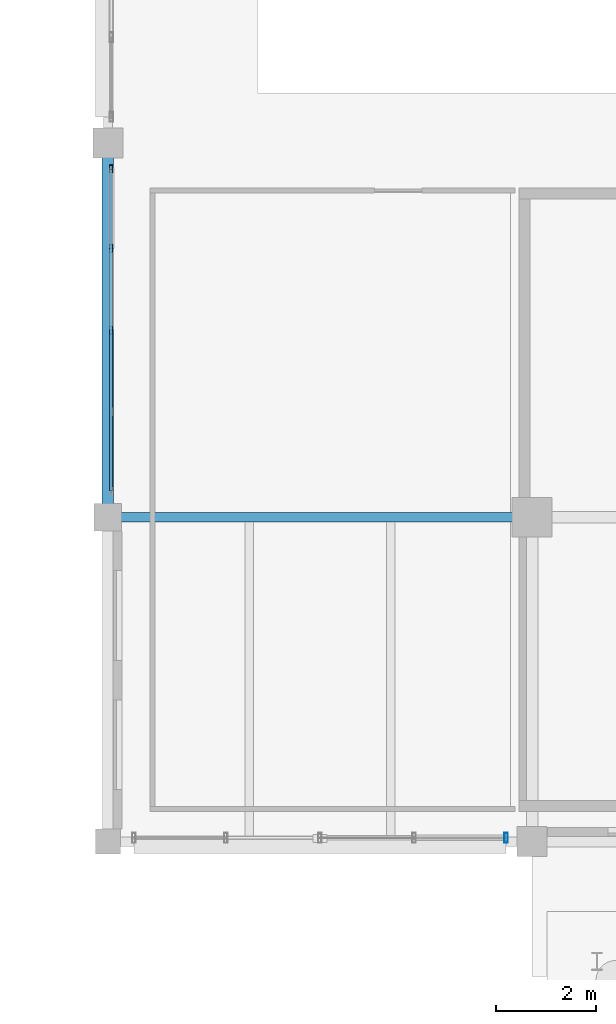
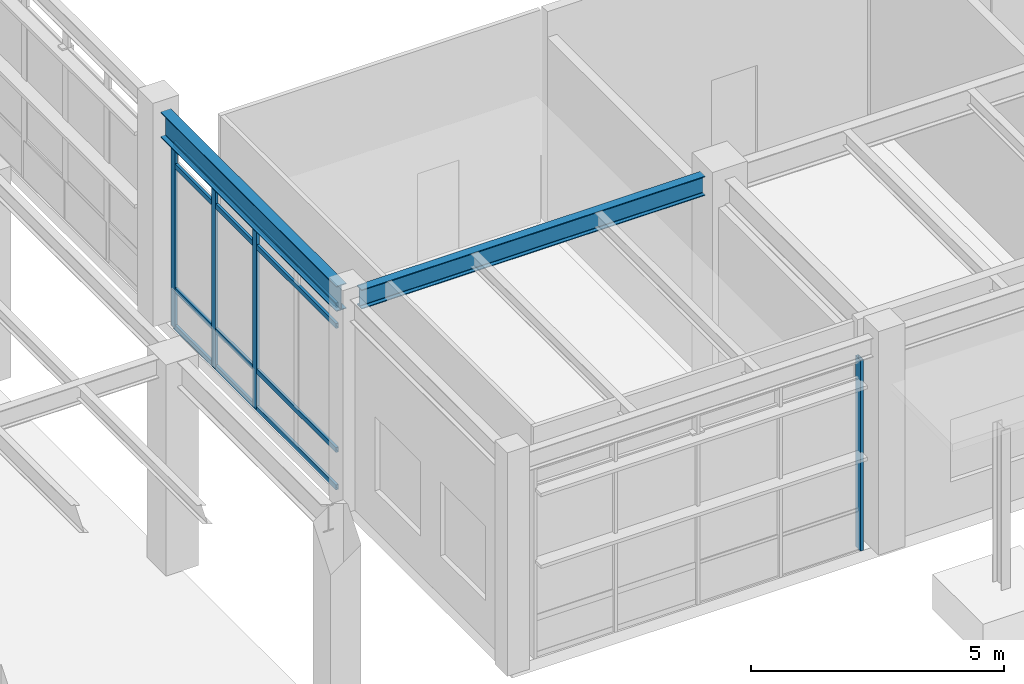
# One storey, part 107 of 203: 8 members, 2 beams, 2 elements without a shape of their own.
"""IFC4 building model written with IfcOpenShell, lengths in metres."""

from ifc_helpers import new_model, si_unit, direction, frame, origin, origin_2d, place, context, subcontext, project, spatial, hollow_rectangle, i_section, extrude, material, material_profile, profile_set, type_object, element, aggregate, save


model = new_model("IFC4")

# Units and contexts
model_context = context("Model", 3, precision=1e-05, world=origin(), true_north=direction((0.0, 1.0)))
body_context = subcontext(model_context, "Body", "Model", "MODEL_VIEW")
ifc_project = project(units=[si_unit("LENGTHUNIT", "METRE"), si_unit("AREAUNIT", "SQUARE_METRE"), si_unit("VOLUMEUNIT", "CUBIC_METRE"), si_unit("PLANEANGLEUNIT", "RADIAN"), si_unit("MASSUNIT", "GRAM", prefix="KILO"), si_unit("THERMODYNAMICTEMPERATUREUNIT", "KELVIN"), si_unit("POWERUNIT", "WATT")], contexts=[model_context])

# Site, building, storey
site_placement = place(None, origin())
site = spatial("IfcSite", under=ifc_project, at=site_placement, CompositionType="ELEMENT")
building_placement = place(site_placement, origin())
building = spatial("IfcBuilding", under=site, at=building_placement, Name="Tepalcoro Natatorium and Aquatics Centre", CompositionType="ELEMENT")
storey_placement = place(building_placement, origin())
storey = spatial("IfcBuildingStorey", under=building, at=storey_placement, Name="L00", CompositionType="ELEMENT", Elevation=0.0)

# Beam
ifc_material_1 = material(Name="Steel ASTM A992 Grade 50 (Fy 345 MPa)", Category="steel")
ifc_material_profile_1 = material_profile(ifc_material_1, i_section(OverallWidth=0.193115234375, OverallDepth=0.467041015625, WebThickness=0.010986328125, FlangeThickness=0.01904296875, FilletRadius=0.013916015625, at=origin_2d()), Name="W18X65")
ifc_profile_set_1 = profile_set([ifc_material_profile_1], Name="Steel ASTM A992 Grade 50 (Fy 345 MPa)")
beam_type_1 = type_object("IfcBeamType", Name="BM_W18x65", PredefinedType="BEAM", material=ifc_profile_set_1)
beam_1_placement = place(storey_placement, frame((142.260009765625, 13.0, 4.8916015625), z_axis=(1.0, 0.0, 0.0), x_axis=(0.0, 1.0, 0.0)))
element("IfcBeam", 1, at=beam_1_placement, inside=storey, type_object=beam_type_1, Name="V2 L00 Grid Girder X", PredefinedType="BEAM", context=body_context, shape_type="SweptSolid", body=[
    extrude(i_section(OverallWidth=0.193115234375, OverallDepth=0.467041015625, WebThickness=0.010986328125, FlangeThickness=0.01904296875, FilletRadius=0.013916015625, at=origin_2d()), origin(), (0.0, 0.0, 1.0), 7.85498046875),
])

# Curtain wall, members
ifc_material_2 = material(Name="Bronze-Anodised Extruded Aluminium Alloy EN AW-6063 T6", Category="aluminium")
curtain_wall_type_1 = type_object("IfcCurtainWallType", Name="CW_LEAN_T1_NS", PredefinedType="USERDEFINED", material=ifc_material_2)
curtain_wall_1_placement = place(storey_placement, origin())
curtain_wall_1 = element("IfcCurtainWall", 2, at=curtain_wall_1_placement, inside=storey, type_object=curtain_wall_type_1, Name="V2 L00 W Unitised Curtain Wall Bay 2", ObjectType="FACETED SOLAR GLAZING", PredefinedType="USERDEFINED")
ifc_material_profile_2 = material_profile(ifc_material_2, hollow_rectangle(XDim=0.06005859375, YDim=0.159912109375, WallThickness=0.00390625, at=origin_2d()), Name="AL60X160X4")
ifc_profile_set_2 = profile_set([ifc_material_profile_2], Name="Bronze-Anodised Extruded Aluminium Alloy EN AW-6063 T6")
member_type_1 = type_object("IfcMemberType", Name="CW_MUL_60x160", PredefinedType="MULLION", material=ifc_profile_set_2)
member_1_placement = place(storey_placement, frame((142.06494140625, 16.75, 0.02001953125), z_axis=(0.0, 0.0, 1.0), x_axis=(1.0, 0.0, 0.0)))
member_1 = element("IfcMember", 3, at=member_1_placement, type_object=member_type_1, Name="CW_LEAN_T1_NS Curtain Wall Mullion", PredefinedType="MULLION", context=body_context, shape_type="SweptSolid", body=[
    extrude(hollow_rectangle(XDim=0.06005859375, YDim=0.159912109375, WallThickness=0.00390625, at=origin_2d()), origin(), (0.0, 0.0, 1.0), 4.4580078125),
])
member_2_placement = place(storey_placement, frame((142.06494140625, 18.385009765625, 0.02001953125), z_axis=(0.0, 0.0, 1.0), x_axis=(1.0, 0.0, 0.0)))
member_2 = element("IfcMember", 4, at=member_2_placement, type_object=member_type_1, Name="CW_LEAN_T1_NS Curtain Wall Mullion", PredefinedType="MULLION", context=body_context, shape_type="SweptSolid", body=[
    extrude(hollow_rectangle(XDim=0.06005859375, YDim=0.159912109375, WallThickness=0.00390625, at=origin_2d()), origin(), (0.0, 0.0, 1.0), 4.4580078125),
])
member_3_placement = place(storey_placement, frame((142.06494140625, 19.97998046875, 0.02001953125), z_axis=(0.0, 0.0, 1.0), x_axis=(1.0, 0.0, 0.0)))
member_3 = element("IfcMember", 5, at=member_3_placement, type_object=member_type_1, Name="CW_LEAN_T1_NS Curtain Wall Mullion", PredefinedType="MULLION", context=body_context, shape_type="SweptSolid", body=[
    extrude(hollow_rectangle(XDim=0.06005859375, YDim=0.159912109375, WallThickness=0.00390625, at=origin_2d()), origin(), (0.0, 0.0, 1.0), 4.4580078125),
])

# Curtain wall, member
curtain_wall_type_2 = type_object("IfcCurtainWallType", Name="CW_V2_DIVING", PredefinedType="USERDEFINED", material=ifc_material_2)
curtain_wall_2_placement = place(storey_placement, origin())
curtain_wall_2 = element("IfcCurtainWall", 6, at=curtain_wall_2_placement, inside=storey, type_object=curtain_wall_type_2, Name="V2 L00 S Unitised Curtain Wall Bay 1", ObjectType="FACETED SOLAR GLAZING", PredefinedType="USERDEFINED")
ifc_material_profile_3 = material_profile(ifc_material_2, hollow_rectangle(XDim=0.070068359375, YDim=0.199951171875, WallThickness=0.0048828125, at=origin_2d()), Name="AL70X200X5")
ifc_profile_set_3 = profile_set([ifc_material_profile_3], Name="Bronze-Anodised Extruded Aluminium Alloy EN AW-6063 T6")
member_type_2 = type_object("IfcMemberType", Name="CW_MUL_70x200", PredefinedType="MULLION", material=ifc_profile_set_3)
member_4_placement = place(storey_placement, frame((149.97998046875, 6.576171875, 0.02001953125), z_axis=(0.0, 0.0, 1.0), x_axis=(1.0, 0.0, 0.0)))
member_4 = element("IfcMember", 7, at=member_4_placement, type_object=member_type_2, Name="CW_V2_DIVING Curtain Wall Mullion", PredefinedType="MULLION", context=body_context, shape_type="SweptSolid", body=[
    extrude(hollow_rectangle(XDim=0.070068359375, YDim=0.199951171875, WallThickness=0.0048828125, at=origin_2d()), origin(), (0.0, 0.0, 1.0), 4.60986328125),
])
aggregate(curtain_wall_2, [member_4])

# Member
ifc_material_profile_4 = material_profile(ifc_material_2, hollow_rectangle(XDim=0.06005859375, YDim=0.1201171875, WallThickness=0.00390625, at=origin_2d()), Name="AL60X120X4")
ifc_profile_set_4 = profile_set([ifc_material_profile_4], Name="Bronze-Anodised Extruded Aluminium Alloy EN AW-6063 T6")
member_type_3 = type_object("IfcMemberType", Name="CW_TRN_60x120", PredefinedType="USERDEFINED", material=ifc_profile_set_4)
member_5_placement = place(storey_placement, frame((142.06494140625, 13.530029296875, 0.050048828125), z_axis=(0.0, 1.0, 0.0), x_axis=(-1.0, 0.0, 0.0)))
member_5 = element("IfcMember", 8, at=member_5_placement, type_object=member_type_3, Name="CW_LEAN_T1_NS Curtain Wall Transom", ObjectType="TRANSOM", PredefinedType="USERDEFINED", context=body_context, shape_type="SweptSolid", body=[
    extrude(hollow_rectangle(XDim=0.06005859375, YDim=0.1201171875, WallThickness=0.00390625, at=origin_2d()), origin(), (0.0, 0.0, 1.0), 6.43994140625),
])

member_6_placement = place(storey_placement, frame((142.06494140625, 13.530029296875, 0.949951171875), z_axis=(0.0, 1.0, 0.0), x_axis=(-1.0, 0.0, 0.0)))
member_6 = element("IfcMember", 9, at=member_6_placement, type_object=member_type_3, Name="CW_LEAN_T1_NS Curtain Wall Transom", ObjectType="TRANSOM", PredefinedType="USERDEFINED", context=body_context, shape_type="SweptSolid", body=[
    extrude(hollow_rectangle(XDim=0.06005859375, YDim=0.1201171875, WallThickness=0.00390625, at=origin_2d()), origin(), (0.0, 0.0, 1.0), 6.43994140625),
])

member_7_placement = place(storey_placement, frame((142.06494140625, 13.530029296875, 3.947998046875), z_axis=(0.0, 1.0, 0.0), x_axis=(-1.0, 0.0, 0.0)))
member_7 = element("IfcMember", 10, at=member_7_placement, type_object=member_type_3, Name="CW_LEAN_T1_NS Curtain Wall Transom", ObjectType="TRANSOM", PredefinedType="USERDEFINED", context=body_context, shape_type="SweptSolid", body=[
    extrude(hollow_rectangle(XDim=0.06005859375, YDim=0.1201171875, WallThickness=0.00390625, at=origin_2d()), origin(), (0.0, 0.0, 1.0), 6.43994140625),
])

member_8_placement = place(storey_placement, frame((142.06494140625, 13.530029296875, 4.447998046875), z_axis=(0.0, 1.0, 0.0), x_axis=(-1.0, 0.0, 0.0)))
member_8 = element("IfcMember", 11, at=member_8_placement, type_object=member_type_3, Name="CW_LEAN_T1_NS Curtain Wall Transom", ObjectType="TRANSOM", PredefinedType="USERDEFINED", context=body_context, shape_type="SweptSolid", body=[
    extrude(hollow_rectangle(XDim=0.06005859375, YDim=0.1201171875, WallThickness=0.00390625, at=origin_2d()), origin(), (0.0, 0.0, 1.0), 6.43994140625),
])

aggregate(curtain_wall_1, [member_1, member_2, member_3, member_5, member_6, member_7, member_8])

# Beam
ifc_material_profile_5 = material_profile(ifc_material_1, i_section(OverallWidth=0.22900390625, OverallDepth=0.612060546875, WebThickness=0.011962890625, FlangeThickness=0.02001953125, FilletRadius=0.013916015625, at=origin_2d()), Name="W24X84")
ifc_profile_set_5 = profile_set([ifc_material_profile_5], Name="Steel ASTM A992 Grade 50 (Fy 345 MPa)")
beam_type_2 = type_object("IfcBeamType", Name="SP_W24x84", PredefinedType="SPANDREL", material=ifc_profile_set_5)
beam_2_placement = place(storey_placement, frame((142.0, 13.260009765625, 4.819091796875), z_axis=(0.0, 1.0, 0.0), x_axis=(-1.0, 0.0, 0.0)))
element("IfcBeam", 12, at=beam_2_placement, inside=storey, type_object=beam_type_2, Name="V2 L00 Grid Girder Y", PredefinedType="SPANDREL", context=body_context, shape_type="SweptSolid", body=[
    extrude(i_section(OverallWidth=0.22900390625, OverallDepth=0.612060546875, WebThickness=0.011962890625, FlangeThickness=0.02001953125, FilletRadius=0.013916015625, at=origin_2d()), origin(), (0.0, 0.0, 1.0), 6.955078125),
])

save(model, "model.ifc")
